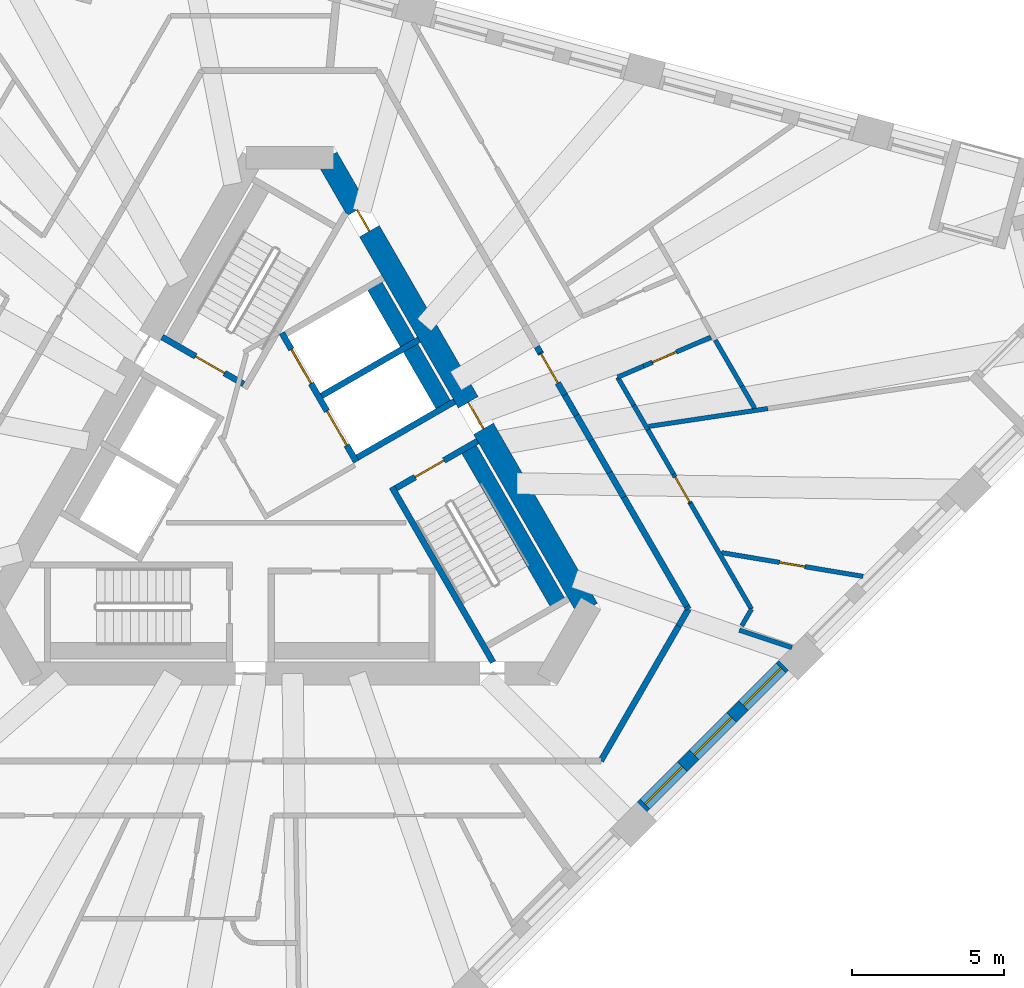
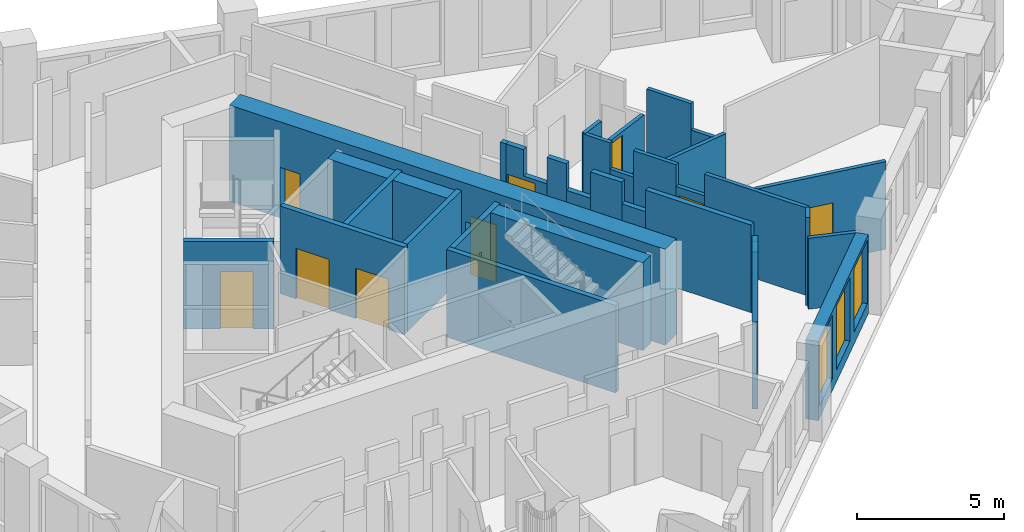
# One storey, part 5 of 13: 33 walls, 10 doors, 3 windows, 13 openings.
"""IFC4 building model written with IfcOpenShell, lengths in metres."""

from ifc_helpers import new_model, si_unit, direction, frame, frame_2d, origin, place, context, subcontext, project, spatial, polyline, rectangle, outline, extrude, material, layer, layer_set, type_object, element, fill, save


model = new_model("IFC4")

# Units and contexts
model_context = context("Model", 3, precision=1e-05, world=origin(), true_north=direction((0.0, 1.0)))
body_context = subcontext(model_context, "Body", "Model", "MODEL_VIEW")
ifc_project = project(units=[si_unit("LENGTHUNIT", "METRE"), si_unit("AREAUNIT", "SQUARE_METRE"), si_unit("VOLUMEUNIT", "CUBIC_METRE"), si_unit("PLANEANGLEUNIT", "RADIAN"), si_unit("MASSUNIT", "GRAM", prefix="KILO")], contexts=[model_context])

# Site, building, storey
site_placement = place(None, origin())
site = spatial("IfcSite", under=ifc_project, at=site_placement, CompositionType="ELEMENT")
building_placement = place(site_placement, origin())
building = spatial("IfcBuilding", under=site, at=building_placement, Name="Tramontana Tower", CompositionType="ELEMENT")
storey_placement = place(building_placement, frame((0.0, 0.0, 212.0)))
storey = spatial("IfcBuildingStorey", under=building, at=storey_placement, Name="L49", CompositionType="ELEMENT", Elevation=212.0)

# Wall, openings, doors
ifc_material_1 = material(Name="Concrete 70 MPa", Category="concrete")
ifc_layer_1 = layer(ifc_material_1, 0.75)
ifc_layer_set_1 = layer_set([ifc_layer_1], Name="Core wall 750 70 MPa")
wall_type_1 = type_object("IfcWallType", Name="Core wall 750 70 MPa", PredefinedType="SHEAR", material=ifc_layer_set_1)
wall_1_placement = place(storey_placement, frame((9.81494140625, -4.25, 0.0), z_axis=(0.0, 0.0, 1.0), x_axis=(-0.500002161919, 0.866024155596, 0.0)))
wall_1 = element("IfcWall", 1, at=wall_1_placement, inside=storey, type_object=wall_type_1, Name="Core wall C5 L49", PredefinedType="SHEAR", context=body_context, shape_type="SweptSolid", body=[
    extrude(rectangle(XDim=17.17626953125, YDim=0.75, at=frame_2d((8.588134765625, 0.0))), origin(), (0.0, 0.0, 1.0), 4.0),
])
opening_1_placement = place(wall_1_placement, frame((6.863037109375, 0.0, 0.0)))
opening_1 = element("IfcOpeningElement", 2, at=opening_1_placement, cuts=wall_1, Name="Opening RG3", PredefinedType="OPENING", context=body_context, shape_type="SweptSolid", body=[
    extrude(rectangle(XDim=1.0, YDim=2.39990234375, at=frame_2d((0.5, 1.199951171875))), frame((0.0, 0.385009765625, 0.0), z_axis=(0.0, -1.0, 0.0), x_axis=(1.0, 0.0, 0.0)), (0.0, 0.0, 1.0), 0.77001953125),
])
opening_2_placement = place(wall_1_placement, frame((14.382080078125, 0.0, 0.0)))
opening_2 = element("IfcOpeningElement", 3, at=opening_2_placement, cuts=wall_1, Name="Opening PD3", PredefinedType="OPENING", context=body_context, shape_type="SweptSolid", body=[
    extrude(rectangle(XDim=0.800048828125, YDim=2.10009765625, at=frame_2d((0.39990234375, 1.050048828125))), frame((0.0, 0.385009765625, 0.0), z_axis=(0.0, -1.0, 0.0), x_axis=(1.0, 0.0, 0.0)), (0.0, 0.0, 1.0), 0.77001953125),
])
ifc_material_2 = material(Name="Painted steel", Category="steel")
door_type_1 = type_object("IfcDoorType", Name="CUPBOARD DOOR 800", OperationType="SINGLE_SWING_LEFT", PredefinedType="DOOR", material=ifc_material_2)
door_1_placement = place(opening_2_placement, origin())
door_1 = element("IfcDoor", 4, at=door_1_placement, inside=storey, type_object=door_type_1, Name="Door PD3", OperationType="SINGLE_SWING_RIGHT", OverallHeight=2.10009765625, OverallWidth=0.800048828125, PredefinedType="DOOR", context=body_context, shape_type="SweptSolid", body=[
    extrude(rectangle(XDim=0.800048828125, YDim=2.10009765625, at=frame_2d((0.39990234375, 1.050048828125))), frame((0.0, 0.02490234375, 0.0), z_axis=(0.0, -1.0, 0.0), x_axis=(1.0, 0.0, 0.0)), (0.0, 0.0, 1.0), 0.050048828125),
])
fill(opening_2, door_1)
ifc_material_3 = material(Name="Painted steel", Category="steel")
door_type_2 = type_object("IfcDoorType", Name="RING DOOR 1000", OperationType="SINGLE_SWING_LEFT", PredefinedType="DOOR", material=ifc_material_3)
door_2_placement = place(opening_1_placement, origin())
door_2 = element("IfcDoor", 5, at=door_2_placement, inside=storey, type_object=door_type_2, Name="Door RG3", OperationType="SINGLE_SWING_RIGHT", OverallHeight=2.39990234375, OverallWidth=1.0, PredefinedType="DOOR", context=body_context, shape_type="SweptSolid", body=[
    extrude(rectangle(XDim=1.0, YDim=2.39990234375, at=frame_2d((0.5, 1.199951171875))), frame((0.0, 0.02490234375, 0.0), z_axis=(0.0, -1.0, 0.0), x_axis=(1.0, 0.0, 0.0)), (0.0, 0.0, 1.0), 0.050048828125),
])
fill(opening_1, door_2)

# Wall
ifc_material_4 = material(Name="Blockwork", Category="masonry")
ifc_layer_2 = layer(ifc_material_4, 0.199951171875)
ifc_layer_set_2 = layer_set([ifc_layer_2], Name="ENTRY WALL 200")
wall_type_2 = type_object("IfcWallType", Name="ENTRY WALL 200", PredefinedType="SOLIDWALL", material=ifc_layer_set_2)
wall_2_placement = place(storey_placement, frame((8.143310546875, 4.3955078125, 0.0), z_axis=(0.0, 0.0, 1.0), x_axis=(0.499230902886, -0.866468987099, 0.0)))
element("IfcWall", 6, at=wall_2_placement, inside=storey, type_object=wall_type_2, Name="Wall v51-ew0-6", PredefinedType="SOLIDWALL", context=body_context, shape_type="SweptSolid", body=[
    extrude(rectangle(XDim=0.229248046875, YDim=0.199951171875, at=frame_2d((0.11474609375, 0.0))), origin(), (0.0, 0.0, 1.0), 3.64990234375),
])

# Wall, opening, door
wall_3_placement = place(storey_placement, frame((8.2578125, 4.19677734375, 0.0), z_axis=(0.0, 0.0, 1.0), x_axis=(0.500138504756, -0.865945423257, 0.0)))
wall_3 = element("IfcWall", 7, at=wall_3_placement, inside=storey, type_object=wall_type_2, Name="Wall v51-ew0-7", PredefinedType="SOLIDWALL", context=body_context, shape_type="SweptSolid", body=[
    extrude(outline(polyline([(0.0, 0.0), (1.6083984375, 0.0), (1.608642578125, 2.550048828125), (0.6943359375, 2.550048828125), (0.6943359375, 3.64990234375), (0.0, 3.64990234375), (0.0, 0.0)])), frame((0.0, 0.10009765625, 0.0), z_axis=(0.0, -1.0, 0.0), x_axis=(1.0, 0.0, 0.0)), (0.0, 0.0, 1.0), 0.199951171875),
])
opening_3_placement = place(wall_3_placement, frame((0.050048828125, 0.0, 0.0)))
opening_3 = element("IfcOpeningElement", 8, at=opening_3_placement, cuts=wall_3, Name="Opening B5B-21", PredefinedType="OPENING", context=body_context, shape_type="SweptSolid", body=[
    extrude(rectangle(XDim=1.10009765625, YDim=2.39990234375, at=frame_2d((0.550048828125, 1.199951171875))), frame((0.0, 0.10986328125, 0.0), z_axis=(0.0, -1.0, 0.0), x_axis=(1.0, 0.0, 0.0)), (0.0, 0.0, 1.0), 0.219970703125),
])
ifc_material_5 = material(Name="Painted timber", Category="wood")
door_type_3 = type_object("IfcDoorType", Name="DOOR ENTRY 1100", OperationType="SINGLE_SWING_LEFT", PredefinedType="DOOR", material=ifc_material_5)
door_3_placement = place(opening_3_placement, origin())
door_3 = element("IfcDoor", 9, at=door_3_placement, inside=storey, type_object=door_type_3, Name="Door B5B-21", OperationType="SINGLE_SWING_LEFT", OverallHeight=2.39990234375, OverallWidth=1.10009765625, PredefinedType="DOOR", context=body_context, shape_type="SweptSolid", body=[
    extrude(rectangle(XDim=1.10009765625, YDim=2.39990234375, at=frame_2d((0.550048828125, 1.199951171875))), frame((0.0, 0.02490234375, 0.0), z_axis=(0.0, -1.0, 0.0), x_axis=(1.0, 0.0, 0.0)), (0.0, 0.0, 1.0), 0.050048828125),
])
fill(opening_3, door_3)

# Walls
wall_4_placement = place(storey_placement, frame((9.062255859375, 2.803955078125, 0.0), z_axis=(0.0, 0.0, 1.0), x_axis=(0.499997253739, -0.866026989333, 0.0)))
element("IfcWall", 10, at=wall_4_placement, inside=storey, type_object=wall_type_2, Name="Wall v51-ew0-8", PredefinedType="SOLIDWALL", context=body_context, shape_type="SweptSolid", body=[
    extrude(rectangle(XDim=0.76904296875, YDim=0.199951171875, at=frame_2d((0.384521484375, 0.0))), origin(), (0.0, 0.0, 1.0), 3.64990234375),
])
wall_5_placement = place(storey_placement, frame((9.44677734375, 2.137939453125, 0.0), z_axis=(0.0, 0.0, 1.0), x_axis=(0.499869636591, -0.866100656052, 0.0)))
element("IfcWall", 11, at=wall_5_placement, inside=storey, type_object=wall_type_2, Name="Wall v51-ew0-9", PredefinedType="SOLIDWALL", context=body_context, shape_type="SweptSolid", body=[
    extrude(rectangle(XDim=0.957275390625, YDim=0.199951171875, at=frame_2d((0.478515625, 0.0))), origin(), (0.0, 0.0, 1.0), 2.550048828125),
])
wall_6_placement = place(storey_placement, frame((9.92529296875, 1.308837890625, 0.0), z_axis=(0.0, 0.0, 1.0), x_axis=(0.500055461028, -0.865993380977, 0.0)))
element("IfcWall", 12, at=wall_6_placement, inside=storey, type_object=wall_type_2, Name="Wall v51-ew0-10", PredefinedType="SOLIDWALL", context=body_context, shape_type="SweptSolid", body=[
    extrude(rectangle(XDim=1.226806640625, YDim=0.199951171875, at=frame_2d((0.61328125, 0.0))), origin(), (0.0, 0.0, 1.0), 3.64990234375),
])
wall_7_placement = place(storey_placement, frame((10.538818359375, 0.246337890625, 0.0), z_axis=(0.0, 0.0, 1.0), x_axis=(0.499971966783, -0.866041588165, 0.0)))
element("IfcWall", 13, at=wall_7_placement, inside=storey, type_object=wall_type_2, Name="Wall v51-ew0-11", PredefinedType="SOLIDWALL", context=body_context, shape_type="SweptSolid", body=[
    extrude(rectangle(XDim=0.931640625, YDim=0.199951171875, at=frame_2d((0.4658203125, 0.0))), origin(), (0.0, 0.0, 1.0), 2.75),
])
wall_8_placement = place(storey_placement, frame((11.004638671875, -0.560546875, 0.0), z_axis=(0.0, 0.0, 1.0), x_axis=(0.499993700073, -0.866029041019, 0.0)))
element("IfcWall", 14, at=wall_8_placement, inside=storey, type_object=wall_type_2, Name="Wall v51-ew0-12", PredefinedType="SOLIDWALL", context=body_context, shape_type="SweptSolid", body=[
    extrude(rectangle(XDim=4.1552734375, YDim=0.199951171875, at=frame_2d((2.07763671875, 0.0))), origin(), (0.0, 0.0, 1.0), 3.64990234375),
])
wall_9_placement = place(storey_placement, frame((13.082275390625, -4.1591796875, 0.0), z_axis=(0.0, 0.0, 1.0), x_axis=(0.500393920955, -0.865797853931, 0.0)))
element("IfcWall", 15, at=wall_9_placement, inside=storey, type_object=wall_type_2, Name="Wall v51-ew0-13", PredefinedType="SOLIDWALL", context=body_context, shape_type="SweptSolid", body=[
    extrude(rectangle(XDim=0.10498046875, YDim=0.199951171875, at=frame_2d((0.052490234375, 0.0))), origin(), (0.0, 0.0, 1.0), 2.949951171875),
])
wall_10_placement = place(storey_placement, frame((13.134765625, -4.25, 0.0), z_axis=(0.0, 0.0, 1.0), x_axis=(-0.500018234033, -0.866014876105, 0.0)))
element("IfcWall", 16, at=wall_10_placement, inside=storey, type_object=wall_type_2, Name="Wall v51-ew1-0", PredefinedType="SOLIDWALL", context=body_context, shape_type="SweptSolid", body=[
    extrude(rectangle(XDim=0.64306640625, YDim=0.199951171875, at=frame_2d((0.321533203125, 0.0))), origin(), (0.0, 0.0, 1.0), 2.949951171875),
])
wall_11_placement = place(storey_placement, frame((12.813232421875, -4.806884765625, 0.0), z_axis=(0.0, 0.0, 1.0), x_axis=(-0.499992949462, -0.866029474376, 0.0)))
element("IfcWall", 17, at=wall_11_placement, inside=storey, type_object=wall_type_2, Name="Wall v51-ew1-1", PredefinedType="SOLIDWALL", context=body_context, shape_type="SweptSolid", body=[
    extrude(rectangle(XDim=5.13037109375, YDim=0.199951171875, at=frame_2d((2.565185546875, 0.0))), origin(), (0.0, 0.0, 1.0), 3.64990234375),
])

# Wall, openings, windows
ifc_material_6 = material(Name="Precast concrete 60 MPa", Category="concrete")
ifc_layer_3 = layer(ifc_material_6, 0.449951171875)
ifc_layer_set_3 = layer_set([ifc_layer_3], Name="Precast concrete 60 MPa, 450 mm")
wall_type_3 = type_object("IfcWallType", Name="EW1 Stone-faced precast wall 450", PredefinedType="SOLIDWALL", material=ifc_layer_set_3)
wall_12_placement = place(storey_placement, frame((11.6142578125, -10.765625, 0.0), z_axis=(0.0, 0.0, 1.0), x_axis=(0.707106781187, 0.707106781187, 0.0)))
wall_12 = element("IfcWall", 18, at=wall_12_placement, inside=storey, type_object=wall_type_3, Name="External wall L49 face 1 bay 4", PredefinedType="SOLIDWALL", context=body_context, shape_type="SweptSolid", body=[
    extrude(rectangle(XDim=6.59423828125, YDim=0.449951171875, at=frame_2d((3.297119140625, 0.0))), origin(), (0.0, 0.0, 1.0), 3.300048828125),
])
opening_4_placement = place(wall_12_placement, frame((0.1240234375, 0.0, 0.5)))
opening_4 = element("IfcOpeningElement", 19, at=opening_4_placement, cuts=wall_12, Name="Opening M2", PredefinedType="OPENING", context=body_context, shape_type="SweptSolid", body=[
    extrude(rectangle(XDim=1.75, YDim=2.64990234375, at=frame_2d((0.875, 1.324951171875))), frame((0.0, 0.23486328125, 0.0), z_axis=(0.0, -1.0, 0.0), x_axis=(1.0, 0.0, 0.0)), (0.0, 0.0, 1.0), 0.469970703125),
])
opening_5_placement = place(wall_12_placement, frame((2.422119140625, 0.0, 0.5)))
opening_5 = element("IfcOpeningElement", 20, at=opening_5_placement, cuts=wall_12, Name="Opening M2", PredefinedType="OPENING", context=body_context, shape_type="SweptSolid", body=[
    extrude(rectangle(XDim=1.75, YDim=2.64990234375, at=frame_2d((0.875, 1.324951171875))), frame((0.0, 0.23486328125, 0.0), z_axis=(0.0, -1.0, 0.0), x_axis=(1.0, 0.0, 0.0)), (0.0, 0.0, 1.0), 0.469970703125),
])
opening_6_placement = place(wall_12_placement, frame((4.72021484375, 0.0, 0.5)))
opening_6 = element("IfcOpeningElement", 21, at=opening_6_placement, cuts=wall_12, Name="Opening M2", PredefinedType="OPENING", context=body_context, shape_type="SweptSolid", body=[
    extrude(rectangle(XDim=1.75, YDim=2.64990234375, at=frame_2d((0.875, 1.324951171875))), frame((0.0, 0.23486328125, 0.0), z_axis=(0.0, -1.0, 0.0), x_axis=(1.0, 0.0, 0.0)), (0.0, 0.0, 1.0), 0.469970703125),
])
ifc_material_7 = material(Name="Aluminum frame, double glazing unit", Category="aluminium")
window_type = type_object("IfcWindowType", Name="M2 Window 1.75 x 2.65", PartitioningType="SINGLE_PANEL", PredefinedType="WINDOW", material=ifc_material_7)
window_1_placement = place(opening_4_placement, origin())
window_1 = element("IfcWindow", 22, at=window_1_placement, inside=storey, type_object=window_type, Name="Window M2 L49 face 1 module 10", OverallHeight=2.64990234375, OverallWidth=1.75, PartitioningType="SINGLE_PANEL", PredefinedType="WINDOW", context=body_context, shape_type="SweptSolid", body=[
    extrude(rectangle(XDim=1.75, YDim=2.64990234375, at=frame_2d((0.875, 1.324951171875))), frame((0.0, 0.030029296875, 0.0), z_axis=(0.0, -1.0, 0.0), x_axis=(1.0, 0.0, 0.0)), (0.0, 0.0, 1.0), 0.06005859375),
])
fill(opening_4, window_1)
window_2_placement = place(opening_5_placement, origin())
window_2 = element("IfcWindow", 23, at=window_2_placement, inside=storey, type_object=window_type, Name="Window M2 L49 face 1 module 11", OverallHeight=2.64990234375, OverallWidth=1.75, PartitioningType="SINGLE_PANEL", PredefinedType="WINDOW", context=body_context, shape_type="SweptSolid", body=[
    extrude(rectangle(XDim=1.75, YDim=2.64990234375, at=frame_2d((0.875, 1.324951171875))), frame((0.0, 0.030029296875, 0.0), z_axis=(0.0, -1.0, 0.0), x_axis=(1.0, 0.0, 0.0)), (0.0, 0.0, 1.0), 0.06005859375),
])
fill(opening_5, window_2)
window_3_placement = place(opening_6_placement, origin())
window_3 = element("IfcWindow", 24, at=window_3_placement, inside=storey, type_object=window_type, Name="Window M2 L49 face 1 module 12", OverallHeight=2.64990234375, OverallWidth=1.75, PartitioningType="SINGLE_PANEL", PredefinedType="WINDOW", context=body_context, shape_type="SweptSolid", body=[
    extrude(rectangle(XDim=1.75, YDim=2.64990234375, at=frame_2d((0.875, 1.324951171875))), frame((0.0, 0.030029296875, 0.0), z_axis=(0.0, -1.0, 0.0), x_axis=(1.0, 0.0, 0.0)), (0.0, 0.0, 1.0), 0.06005859375),
])
fill(opening_6, window_3)

# Walls
ifc_material_8 = material(Name="Gypsum board partition")
ifc_layer_4 = layer(ifc_material_8, 0.14990234375)
ifc_layer_set_4 = layer_set([ifc_layer_4], Name="PARTITION 150")
wall_type_4 = type_object("IfcWallType", Name="PARTITION 150", PredefinedType="PARTITIONING", material=ifc_layer_set_4)
wall_13_placement = place(storey_placement, frame((10.803955078125, 3.38720703125, 0.0), z_axis=(0.0, 0.0, 1.0), x_axis=(0.499874077423, -0.866098093013, 0.0)))
element("IfcWall", 25, at=wall_13_placement, inside=storey, type_object=wall_type_4, Name="Wall v51-pw61-0", PredefinedType="PARTITIONING", context=body_context, shape_type="SweptSolid", body=[
    extrude(rectangle(XDim=1.068603515625, YDim=0.14990234375, at=frame_2d((0.5341796875, 0.0))), origin(), (0.0, 0.0, 1.0), 3.64990234375),
])
wall_14_placement = place(storey_placement, frame((11.338134765625, 2.461669921875, 0.0), z_axis=(0.0, 0.0, 1.0), x_axis=(0.500032811619, -0.866006459158, 0.0)))
element("IfcWall", 26, at=wall_14_placement, inside=storey, type_object=wall_type_4, Name="Wall v51-pw61-1", PredefinedType="PARTITIONING", context=body_context, shape_type="SweptSolid", body=[
    extrude(rectangle(XDim=0.9306640625, YDim=0.14990234375, at=frame_2d((0.46533203125, 0.0))), origin(), (0.0, 0.0, 1.0), 2.550048828125),
])
wall_15_placement = place(storey_placement, frame((11.803466796875, 1.65576171875, 0.0), z_axis=(0.0, 0.0, 1.0), x_axis=(0.499974444137, -0.866040157966, 0.0)))
element("IfcWall", 27, at=wall_15_placement, inside=storey, type_object=wall_type_4, Name="Wall v51-pw61-2", PredefinedType="PARTITIONING", context=body_context, shape_type="SweptSolid", body=[
    extrude(rectangle(XDim=1.67724609375, YDim=0.14990234375, at=frame_2d((0.838623046875, 0.0))), origin(), (0.0, 0.0, 1.0), 3.64990234375),
])

# Wall, opening, door
wall_16_placement = place(storey_placement, frame((12.64208984375, 0.203125, 0.0), z_axis=(0.0, 0.0, 1.0), x_axis=(0.50009519111, -0.865970438196, 0.0)))
wall_16 = element("IfcWall", 28, at=wall_16_placement, inside=storey, type_object=wall_type_4, Name="Wall v51-pw61-3", PredefinedType="PARTITIONING", context=body_context, shape_type="SweptSolid", body=[
    extrude(rectangle(XDim=1.114990234375, YDim=0.14990234375, at=frame_2d((0.5576171875, 0.0))), origin(), (0.0, 0.0, 1.0), 2.75),
])
opening_7_placement = place(wall_16_placement, frame((0.114990234375, 0.0, 0.0)))
opening_7 = element("IfcOpeningElement", 29, at=opening_7_placement, cuts=wall_16, Name="Opening B5B-16", PredefinedType="OPENING", context=body_context, shape_type="SweptSolid", body=[
    extrude(rectangle(XDim=0.949951171875, YDim=2.39990234375, at=frame_2d((0.47509765625, 1.199951171875))), frame((0.0, 0.0849609375, 0.0), z_axis=(0.0, -1.0, 0.0), x_axis=(1.0, 0.0, 0.0)), (0.0, 0.0, 1.0), 0.169921875),
])
ifc_material_9 = material(Name="Painted timber", Category="wood")
door_type_4 = type_object("IfcDoorType", Name="DOOR ROOM 950", OperationType="SINGLE_SWING_LEFT", PredefinedType="DOOR", material=ifc_material_9)
door_4_placement = place(opening_7_placement, origin())
door_4 = element("IfcDoor", 30, at=door_4_placement, inside=storey, type_object=door_type_4, Name="Door B5B-16", OperationType="SINGLE_SWING_RIGHT", OverallHeight=2.39990234375, OverallWidth=0.949951171875, PredefinedType="DOOR", context=body_context, shape_type="SweptSolid", body=[
    extrude(rectangle(XDim=0.949951171875, YDim=2.39990234375, at=frame_2d((0.47509765625, 1.199951171875))), frame((0.0, 0.02490234375, 0.0), z_axis=(0.0, -1.0, 0.0), x_axis=(1.0, 0.0, 0.0)), (0.0, 0.0, 1.0), 0.050048828125),
])
fill(opening_7, door_4)

# Walls
wall_17_placement = place(storey_placement, frame((13.19970703125, -0.762451171875, 0.0), z_axis=(0.0, 0.0, 1.0), x_axis=(0.499979602577, -0.866037179922, 0.0)))
element("IfcWall", 31, at=wall_17_placement, inside=storey, type_object=wall_type_4, Name="Wall v51-pw61-4", PredefinedType="PARTITIONING", context=body_context, shape_type="SweptSolid", body=[
    extrude(rectangle(XDim=4.027099609375, YDim=0.14990234375, at=frame_2d((2.013671875, 0.0))), origin(), (0.0, 0.0, 1.0), 3.64990234375),
])
wall_18_placement = place(storey_placement, frame((14.021728515625, 4.613525390625, 0.0), z_axis=(0.0, 0.0, 1.0), x_axis=(0.500047902311, -0.865997745606, 0.0)))
element("IfcWall", 32, at=wall_18_placement, inside=storey, type_object=wall_type_4, Name="Wall v51-pw62-4", PredefinedType="PARTITIONING", context=body_context, shape_type="SweptSolid", body=[
    extrude(rectangle(XDim=1.753173828125, YDim=0.14990234375, at=frame_2d((0.87646484375, 0.0))), origin(), (0.0, 0.0, 1.0), 3.64990234375),
])
wall_19_placement = place(storey_placement, frame((14.8984375, 3.09521484375, 0.0), z_axis=(0.0, 0.0, 1.0), x_axis=(0.499991329354, -0.866030409726, 0.0)))
element("IfcWall", 33, at=wall_19_placement, inside=storey, type_object=wall_type_4, Name="Wall v51-pw62-5", PredefinedType="PARTITIONING", context=body_context, shape_type="SweptSolid", body=[
    extrude(rectangle(XDim=0.83837890625, YDim=0.14990234375, at=frame_2d((0.419189453125, 0.0))), origin(), (0.0, 0.0, 1.0), 2.550048828125),
])

# Wall, opening, door
wall_20_placement = place(storey_placement, frame((13.87841796875, 4.711669921875, 0.0), z_axis=(0.0, 0.0, 1.0), x_axis=(-0.918800490112, -0.394722255985, 0.0)))
wall_20 = element("IfcWall", 34, at=wall_20_placement, inside=storey, type_object=wall_type_4, Name="Wall v51-pw63-0", PredefinedType="PARTITIONING", context=body_context, shape_type="SweptSolid", body=[
    extrude(rectangle(XDim=2.42138671875, YDim=0.14990234375, at=frame_2d((1.210693359375, 0.0))), origin(), (0.0, 0.0, 1.0), 2.550048828125),
])
opening_8_placement = place(wall_20_placement, frame((1.247314453125, 0.0, 0.0)))
opening_8 = element("IfcOpeningElement", 35, at=opening_8_placement, cuts=wall_20, Name="Opening B5B-14", PredefinedType="OPENING", context=body_context, shape_type="SweptSolid", body=[
    extrude(rectangle(XDim=0.85009765625, YDim=2.39990234375, at=frame_2d((0.425048828125, 1.199951171875))), frame((0.0, 0.0849609375, 0.0), z_axis=(0.0, -1.0, 0.0), x_axis=(1.0, 0.0, 0.0)), (0.0, 0.0, 1.0), 0.169921875),
])
ifc_material_10 = material(Name="Painted timber", Category="wood")
door_type_5 = type_object("IfcDoorType", Name="DOOR BATH 850", OperationType="SINGLE_SWING_LEFT", PredefinedType="DOOR", material=ifc_material_10)
door_5_placement = place(opening_8_placement, origin())
door_5 = element("IfcDoor", 36, at=door_5_placement, inside=storey, type_object=door_type_5, Name="Door B5B-14", OperationType="SINGLE_SWING_RIGHT", OverallHeight=2.39990234375, OverallWidth=0.85009765625, PredefinedType="DOOR", context=body_context, shape_type="SweptSolid", body=[
    extrude(rectangle(XDim=0.85009765625, YDim=2.39990234375, at=frame_2d((0.425048828125, 1.199951171875))), frame((0.0, 0.02490234375, 0.0), z_axis=(0.0, -1.0, 0.0), x_axis=(1.0, 0.0, 0.0)), (0.0, 0.0, 1.0), 0.050048828125),
])
fill(opening_8, door_5)

# Wall
wall_21_placement = place(storey_placement, frame((11.653564453125, 3.755859375, 0.0), z_axis=(0.0, 0.0, 1.0), x_axis=(-0.918747867973, -0.394844722764, 0.0)))
element("IfcWall", 37, at=wall_21_placement, inside=storey, type_object=wall_type_4, Name="Wall v51-pw63-1", PredefinedType="PARTITIONING", context=body_context, shape_type="SweptSolid", body=[
    extrude(rectangle(XDim=0.923095703125, YDim=0.14990234375, at=frame_2d((0.46142578125, 0.0))), origin(), (0.0, 0.0, 1.0), 3.64990234375),
])

# Wall, opening, door
wall_22_placement = place(storey_placement, frame((18.88916015625, -3.172607421875, 0.0), z_axis=(0.0, 0.0, 1.0), x_axis=(-0.986181013246, 0.165671388939, 0.0)))
wall_22 = element("IfcWall", 38, at=wall_22_placement, inside=storey, type_object=wall_type_4, Name="Wall v51-pw64", PredefinedType="PARTITIONING", context=body_context, shape_type="SweptSolid", body=[
    extrude(rectangle(XDim=4.72900390625, YDim=0.14990234375, at=frame_2d((2.364501953125, 0.0))), origin(), (0.0, 0.0, 1.0), 3.64990234375),
])
opening_9_placement = place(wall_22_placement, frame((1.939453125, 0.0, 0.0)))
opening_9 = element("IfcOpeningElement", 39, at=opening_9_placement, cuts=wall_22, Name="Opening B5B-18", PredefinedType="OPENING", context=body_context, shape_type="SweptSolid", body=[
    extrude(rectangle(XDim=0.85009765625, YDim=2.39990234375, at=frame_2d((0.425048828125, 1.199951171875))), frame((0.0, 0.0849609375, 0.0), z_axis=(0.0, -1.0, 0.0), x_axis=(1.0, 0.0, 0.0)), (0.0, 0.0, 1.0), 0.169921875),
])
door_6_placement = place(opening_9_placement, origin())
door_6 = element("IfcDoor", 40, at=door_6_placement, inside=storey, type_object=door_type_5, Name="Door B5B-18", OperationType="SINGLE_SWING_RIGHT", OverallHeight=2.39990234375, OverallWidth=0.85009765625, PredefinedType="DOOR", context=body_context, shape_type="SweptSolid", body=[
    extrude(rectangle(XDim=0.85009765625, YDim=2.39990234375, at=frame_2d((0.425048828125, 1.199951171875))), frame((0.0, 0.02490234375, 0.0), z_axis=(0.0, -1.0, 0.0), x_axis=(1.0, 0.0, 0.0)), (0.0, 0.0, 1.0), 0.050048828125),
])
fill(opening_9, door_6)

# Walls
wall_23_placement = place(storey_placement, frame((14.815673828125, -4.943359375, 0.0), z_axis=(0.0, 0.0, 1.0), x_axis=(0.948575938463, -0.316549662722, 0.0)))
element("IfcWall", 41, at=wall_23_placement, inside=storey, type_object=wall_type_4, Name="Wall v51-pw65-0", PredefinedType="PARTITIONING", context=body_context, shape_type="SweptSolid", body=[
    extrude(rectangle(XDim=1.820068359375, YDim=0.14990234375, at=frame_2d((0.91015625, 0.0))), origin(), (0.0, 0.0, 1.0), 2.949951171875),
])
wall_24_placement = place(storey_placement, frame((15.213134765625, -4.25, 0.0), z_axis=(0.0, 0.0, 1.0), x_axis=(-0.499899851437, -0.866083216864, 0.0)))
element("IfcWall", 42, at=wall_24_placement, inside=storey, type_object=wall_type_4, Name="Wall v51-pw66-0", PredefinedType="PARTITIONING", context=body_context, shape_type="SweptSolid", body=[
    extrude(rectangle(XDim=0.635498046875, YDim=0.14990234375, at=frame_2d((0.31787109375, 0.0))), origin(), (0.0, 0.0, 1.0), 3.64990234375),
])
wall_25_placement = place(storey_placement, frame((15.75244140625, 2.3583984375, 0.0), z_axis=(0.0, 0.0, 1.0), x_axis=(-0.988978239482, -0.148060939588, 0.0)))
element("IfcWall", 43, at=wall_25_placement, inside=storey, type_object=wall_type_4, Name="Wall v51-pw67-1", PredefinedType="PARTITIONING", context=body_context, shape_type="SweptSolid", body=[
    extrude(rectangle(XDim=3.97216796875, YDim=0.14990234375, at=frame_2d((1.986083984375, 0.0))), origin(), (0.0, 0.0, 1.0), 2.550048828125),
])
ifc_material_11 = material(Name="Concrete 70 MPa", Category="concrete")
ifc_layer_5 = layer(ifc_material_11, 0.550048828125)
ifc_layer_set_5 = layer_set([ifc_layer_5], Name="Concrete 70 MPa, 550 mm")
wall_type_5 = type_object("IfcWallType", Name="RC SHAFT BACK WALL 550", PredefinedType="SOLIDWALL", material=ifc_layer_set_5)
wall_26_placement = place(storey_placement, frame((8.911376953125, -4.18505859375, 0.0), z_axis=(0.0, 0.0, 1.0), x_axis=(-0.500009909098, 0.866019682689, 0.0)))
element("IfcWall", 44, at=wall_26_placement, inside=storey, type_object=wall_type_5, Name="Wall st3-back", PredefinedType="SOLIDWALL", context=body_context, shape_type="SweptSolid", body=[
    extrude(rectangle(XDim=6.199951171875, YDim=0.550048828125, at=frame_2d((3.10009765625, 0.0))), origin(), (0.0, 0.0, 1.0), 3.64990234375),
])
wall_27_placement = place(storey_placement, frame((5.156494140625, 2.31884765625, 0.0), z_axis=(0.0, 0.0, 1.0), x_axis=(-0.500018594424, 0.866014668023, 0.0)))
element("IfcWall", 45, at=wall_27_placement, inside=storey, type_object=wall_type_5, Name="Wall row2-back", PredefinedType="SOLIDWALL", context=body_context, shape_type="SweptSolid", body=[
    extrude(rectangle(XDim=4.900146484375, YDim=0.550048828125, at=frame_2d((2.4501953125, 0.0))), origin(), (0.0, 0.0, 1.0), 3.64990234375),
])

# Wall, opening, door
ifc_material_12 = material(Name="Concrete 70 MPa", Category="concrete")
ifc_layer_6 = layer(ifc_material_12, 0.199951171875)
ifc_layer_set_6 = layer_set([ifc_layer_6], Name="Concrete 70 MPa, 200 mm")
wall_type_6 = type_object("IfcWallType", Name="RC STAIR AND SHAFT WALL 200", PredefinedType="SOLIDWALL", material=ifc_layer_set_6)
wall_28_placement = place(storey_placement, frame((-1.521484375, 3.164794921875, 0.0), z_axis=(0.0, 0.0, 1.0), x_axis=(-0.86600983753, 0.500026960575, 0.0)))
wall_28 = element("IfcWall", 46, at=wall_28_placement, inside=storey, type_object=wall_type_6, Name="Wall st1-near", PredefinedType="SOLIDWALL", context=body_context, shape_type="SweptSolid", body=[
    extrude(rectangle(XDim=3.099853515625, YDim=0.199951171875, at=frame_2d((1.5498046875, 0.0))), origin(), (0.0, 0.0, 1.0), 3.64990234375),
])
opening_10_placement = place(wall_28_placement, frame((0.72509765625, 0.0, 0.0)))
opening_10 = element("IfcOpeningElement", 47, at=opening_10_placement, cuts=wall_28, Name="Opening SD1", PredefinedType="OPENING", context=body_context, shape_type="SweptSolid", body=[
    extrude(rectangle(XDim=1.10009765625, YDim=2.39990234375, at=frame_2d((0.550048828125, 1.199951171875))), frame((0.0, 0.10986328125, 0.0), z_axis=(0.0, -1.0, 0.0), x_axis=(1.0, 0.0, 0.0)), (0.0, 0.0, 1.0), 0.219970703125),
])
ifc_material_13 = material(Name="Painted steel", Category="steel")
door_type_6 = type_object("IfcDoorType", Name="STAIR DOOR 1100", OperationType="SINGLE_SWING_LEFT", PredefinedType="DOOR", material=ifc_material_13)
door_7_placement = place(opening_10_placement, origin())
door_7 = element("IfcDoor", 48, at=door_7_placement, inside=storey, type_object=door_type_6, Name="Door SD1", OperationType="SINGLE_SWING_RIGHT", OverallHeight=2.39990234375, OverallWidth=1.10009765625, PredefinedType="DOOR", context=body_context, shape_type="SweptSolid", body=[
    extrude(rectangle(XDim=1.10009765625, YDim=2.39990234375, at=frame_2d((0.550048828125, 1.199951171875))), frame((0.0, 0.02490234375, 0.0), z_axis=(0.0, -1.0, 0.0), x_axis=(1.0, 0.0, 0.0)), (0.0, 0.0, 1.0), 0.050048828125),
])
fill(opening_10, door_7)

# Wall
wall_29_placement = place(storey_placement, frame((6.697265625, -6.0, 0.0), z_axis=(0.0, 0.0, 1.0), x_axis=(-0.499980354584, 0.866036745774, 0.0)))
element("IfcWall", 49, at=wall_29_placement, inside=storey, type_object=wall_type_6, Name="Wall st3-front", PredefinedType="SOLIDWALL", context=body_context, shape_type="SweptSolid", body=[
    extrude(rectangle(XDim=6.664794921875, YDim=0.199951171875, at=frame_2d((3.33251953125, 0.0))), origin(), (0.0, 0.0, 1.0), 3.64990234375),
])

# Wall, opening, door
wall_30_placement = place(storey_placement, frame((3.50146484375, -0.2646484375, 0.0), z_axis=(0.0, 0.0, 1.0), x_axis=(0.866043940782, 0.499967891604, 0.0)))
wall_30 = element("IfcWall", 50, at=wall_30_placement, inside=storey, type_object=wall_type_6, Name="Wall st3-near", PredefinedType="SOLIDWALL", context=body_context, shape_type="SweptSolid", body=[
    extrude(rectangle(XDim=3.099853515625, YDim=0.199951171875, at=frame_2d((1.5498046875, 0.0))), origin(), (0.0, 0.0, 1.0), 3.64990234375),
])
opening_11_placement = place(wall_30_placement, frame((0.72509765625, 0.0, 0.0)))
opening_11 = element("IfcOpeningElement", 51, at=opening_11_placement, cuts=wall_30, Name="Opening SD3", PredefinedType="OPENING", context=body_context, shape_type="SweptSolid", body=[
    extrude(rectangle(XDim=1.10009765625, YDim=2.39990234375, at=frame_2d((0.550048828125, 1.199951171875))), frame((0.0, 0.10986328125, 0.0), z_axis=(0.0, -1.0, 0.0), x_axis=(1.0, 0.0, 0.0)), (0.0, 0.0, 1.0), 0.219970703125),
])
door_8_placement = place(opening_11_placement, origin())
door_8 = element("IfcDoor", 52, at=door_8_placement, inside=storey, type_object=door_type_6, Name="Door SD3", OperationType="SINGLE_SWING_RIGHT", OverallHeight=2.39990234375, OverallWidth=1.10009765625, PredefinedType="DOOR", context=body_context, shape_type="SweptSolid", body=[
    extrude(rectangle(XDim=1.10009765625, YDim=2.39990234375, at=frame_2d((0.550048828125, 1.199951171875))), frame((0.0, 0.02490234375, 0.0), z_axis=(0.0, -1.0, 0.0), x_axis=(1.0, 0.0, 0.0)), (0.0, 0.0, 1.0), 0.050048828125),
])
fill(opening_11, door_8)

# Wall, openings, doors
wall_31_placement = place(storey_placement, frame((2.190185546875, 0.6064453125, 0.0), z_axis=(0.0, 0.0, 1.0), x_axis=(-0.500002801628, 0.866023786258, 0.0)))
wall_31 = element("IfcWall", 53, at=wall_31_placement, inside=storey, type_object=wall_type_6, Name="Wall row2-front", PredefinedType="SOLIDWALL", context=body_context, shape_type="SweptSolid", body=[
    extrude(rectangle(XDim=4.89990234375, YDim=0.199951171875, at=frame_2d((2.449951171875, 0.0))), origin(), (0.0, 0.0, 1.0), 3.64990234375),
])
opening_12_placement = place(wall_31_placement, frame((0.625, 0.0, 0.0)))
opening_12 = element("IfcOpeningElement", 54, at=opening_12_placement, cuts=wall_31, Name="Opening LD-F1", PredefinedType="OPENING", context=body_context, shape_type="SweptSolid", body=[
    extrude(rectangle(XDim=1.300048828125, YDim=2.10009765625, at=frame_2d((0.64990234375, 1.050048828125))), frame((0.0, 0.10986328125, 0.0), z_axis=(0.0, -1.0, 0.0), x_axis=(1.0, 0.0, 0.0)), (0.0, 0.0, 1.0), 0.219970703125),
])
opening_13_placement = place(wall_31_placement, frame((2.97509765625, 0.0, 0.0)))
opening_13 = element("IfcOpeningElement", 55, at=opening_13_placement, cuts=wall_31, Name="Opening LD-F2", PredefinedType="OPENING", context=body_context, shape_type="SweptSolid", body=[
    extrude(rectangle(XDim=1.300048828125, YDim=2.10009765625, at=frame_2d((0.64990234375, 1.050048828125))), frame((0.0, 0.10986328125, 0.0), z_axis=(0.0, -1.0, 0.0), x_axis=(1.0, 0.0, 0.0)), (0.0, 0.0, 1.0), 0.219970703125),
])
ifc_material_14 = material(Name="Brushed steel", Category="steel")
door_type_7 = type_object("IfcDoorType", Name="LANDING DOOR 1300", OperationType="SINGLE_SWING_LEFT", PredefinedType="DOOR", material=ifc_material_14)
door_9_placement = place(opening_12_placement, origin())
door_9 = element("IfcDoor", 56, at=door_9_placement, inside=storey, type_object=door_type_7, Name="Door LD-F1", OperationType="SLIDING_TO_LEFT", OverallHeight=2.10009765625, OverallWidth=1.300048828125, PredefinedType="DOOR", context=body_context, shape_type="SweptSolid", body=[
    extrude(rectangle(XDim=1.300048828125, YDim=2.10009765625, at=frame_2d((0.64990234375, 1.050048828125))), frame((0.0, 0.02490234375, 0.0), z_axis=(0.0, -1.0, 0.0), x_axis=(1.0, 0.0, 0.0)), (0.0, 0.0, 1.0), 0.050048828125),
])
fill(opening_12, door_9)
door_10_placement = place(opening_13_placement, origin())
door_10 = element("IfcDoor", 57, at=door_10_placement, inside=storey, type_object=door_type_7, Name="Door LD-F2", OperationType="SLIDING_TO_RIGHT", OverallHeight=2.10009765625, OverallWidth=1.300048828125, PredefinedType="DOOR", context=body_context, shape_type="SweptSolid", body=[
    extrude(rectangle(XDim=1.300048828125, YDim=2.10009765625, at=frame_2d((0.64990234375, 1.050048828125))), frame((0.0, 0.02490234375, 0.0), z_axis=(0.0, -1.0, 0.0), x_axis=(1.0, 0.0, 0.0)), (0.0, 0.0, 1.0), 0.050048828125),
])
fill(opening_13, door_10)

# Walls
for number, where, z_axis, x_axis, name in (
    (58, (2.226806640625, 0.742919921875, 0.0), (0.0, 0.0, 1.0), (0.86601746898, 0.500013743233, 0.0), "Wall row2-side0"),
    (59, (1.0517578125, 2.778076171875, 0.0), (0.0, 0.0, 1.0), (0.86601746898, 0.500013743233, 0.0), "Wall row2-side1"),
):
    element("IfcWall", number, at=place(storey_placement, frame(where, z_axis=z_axis, x_axis=x_axis)), inside=storey, type_object=wall_type_6, Name=name, PredefinedType="SOLIDWALL", context=body_context, shape_type="SweptSolid", body=[
        extrude(rectangle(XDim=3.7001953125, YDim=0.199951171875, at=frame_2d((1.85009765625, 0.0))), origin(), (0.0, 0.0, 1.0), 3.64990234375),
    ])

save(model, "model.ifc")
